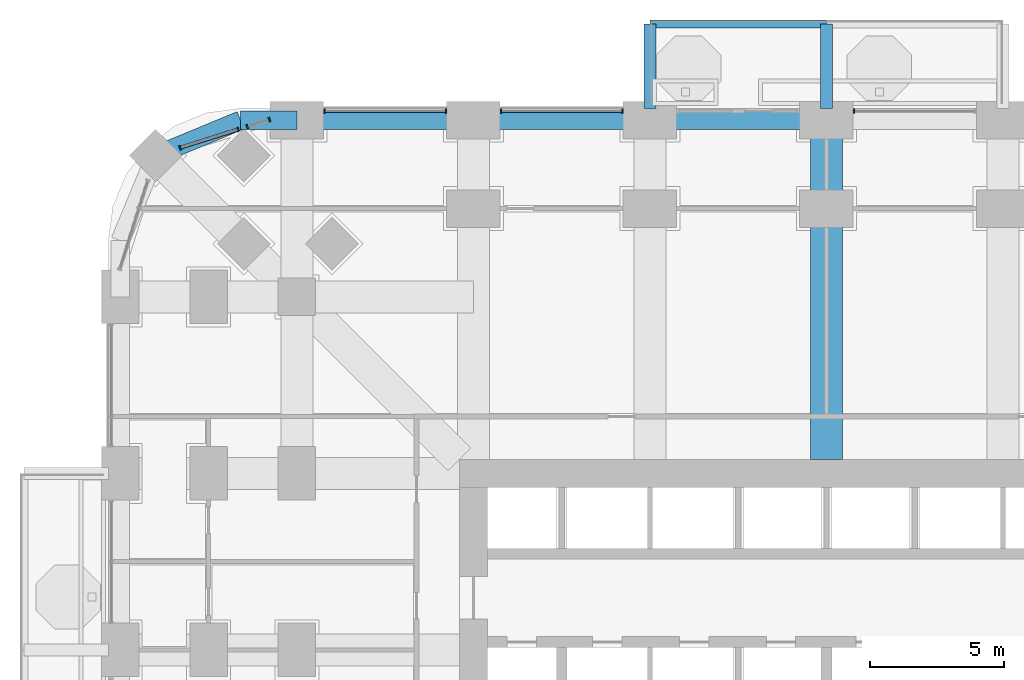
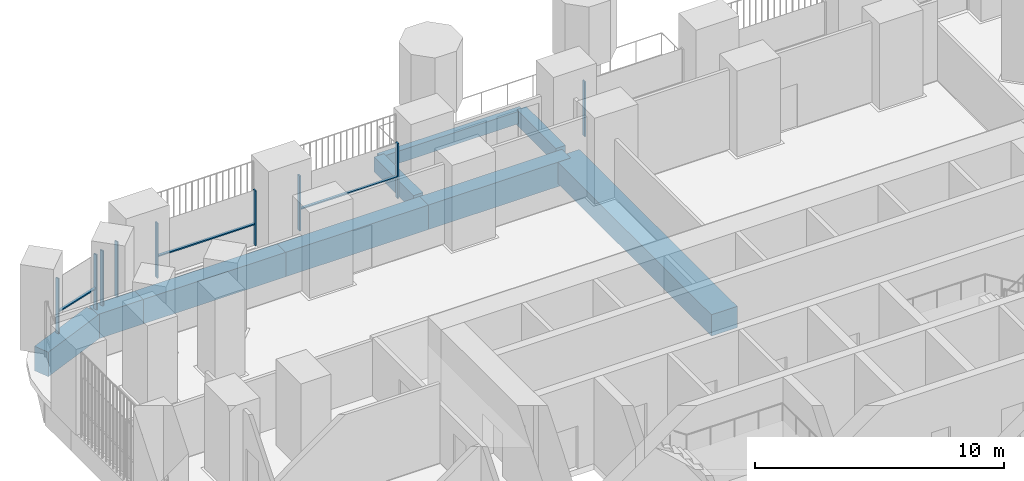
# One storey, part 7 of 24: 12 members, 9 beams, 5 elements without a shape of their own.
"""IFC4 building model written with IfcOpenShell, lengths in metres."""

from ifc_helpers import new_model, si_unit, direction, frame, origin, origin_2d, place, context, subcontext, project, spatial, rectangle, extrude, material, material_profile, profile_set, type_object, element, aggregate, save


model = new_model("IFC4")

# Units and contexts
model_context = context("Model", 3, precision=1e-05, world=origin(), true_north=direction((0.0, 1.0)))
body_context = subcontext(model_context, "Body", "Model", "MODEL_VIEW")
ifc_project = project(units=[si_unit("LENGTHUNIT", "METRE"), si_unit("AREAUNIT", "SQUARE_METRE"), si_unit("VOLUMEUNIT", "CUBIC_METRE"), si_unit("PLANEANGLEUNIT", "RADIAN"), si_unit("MASSUNIT", "GRAM", prefix="KILO")], contexts=[model_context])

# Site, building, storey
site_placement = place(None, origin())
site = spatial("IfcSite", under=ifc_project, at=site_placement, CompositionType="ELEMENT")
building_placement = place(site_placement, origin())
building = spatial("IfcBuilding", under=site, at=building_placement, Name="Cobogo Forest Laboratory Tower", CompositionType="ELEMENT")
storey_placement = place(building_placement, frame((0.0, 0.0, 17.10009765625)))
storey = spatial("IfcBuildingStorey", under=building, at=storey_placement, Name="L03", CompositionType="ELEMENT", Elevation=17.10009765625)

# Beams
ifc_material_1 = material(Name="Concrete HA-40 (C40/50)", Category="concrete")
ifc_material_profile_1 = material_profile(ifc_material_1, rectangle(XDim=0.449951171875, YDim=0.75, at=origin_2d()), Name="RC 450x750")
ifc_profile_set_1 = profile_set([ifc_material_profile_1], Name="Concrete HA-40 (C40/50)")
beam_type_1 = type_object("IfcBeamType", Name="Balcony cantilever beam 450x750", PredefinedType="BEAM", material=ifc_profile_set_1)
for number, where, z_axis, x_axis, name in (
    (1, (19.800048828125, 46.64990234375, -0.625), (0.0, 1.0, 0.0), (-1.0, 0.0, 0.0), "CB1 BAL-N1-C1 L03"),
    (2, (26.39990234375, 46.64990234375, -0.625), (0.0, 1.0, 0.0), (-1.0, 0.0, 0.0), "CB1 BAL-N1-C2 L03"),
):
    element("IfcBeam", number, at=place(storey_placement, frame(where, z_axis=z_axis, x_axis=x_axis)), inside=storey, type_object=beam_type_1, Name=name, PredefinedType="BEAM", context=body_context, shape_type="SweptSolid", body=[
        extrude(rectangle(XDim=0.449951171875, YDim=0.75, at=origin_2d()), origin(), (0.0, 0.0, 1.0), 3.150146484375),
    ])
ifc_material_profile_2 = material_profile(ifc_material_1, rectangle(XDim=0.300048828125, YDim=0.60009765625, at=origin_2d()), Name="RC 300x600")
ifc_profile_set_2 = profile_set([ifc_material_profile_2], Name="Concrete HA-40 (C40/50)")
beam_type_2 = type_object("IfcBeamType", Name="Balcony edge beam 300x600", PredefinedType="BEAM", material=ifc_profile_set_2)
beam_1_placement = place(storey_placement, frame((19.800048828125, 49.800048828125, -0.550048828125), z_axis=(1.0, 0.0, 0.0), x_axis=(0.0, 1.0, 0.0)))
element("IfcBeam", 3, at=beam_1_placement, inside=storey, type_object=beam_type_2, Name="BB1 BAL-N1-T1 L03", PredefinedType="BEAM", context=body_context, shape_type="SweptSolid", body=[
    extrude(rectangle(XDim=0.300048828125, YDim=0.60009765625, at=origin_2d()), origin(), (0.0, 0.0, 1.0), 6.599853515625),
])
ifc_material_profile_3 = material_profile(ifc_material_1, rectangle(XDim=1.199951171875, YDim=1.050048828125, at=origin_2d()), Name="RC 1200x1050")
ifc_profile_set_3 = profile_set([ifc_material_profile_3], Name="Concrete HA-40 (C40/50)")
beam_type_3 = type_object("IfcBeamType", Name="Laboratory floor wide beam 1200x1050", PredefinedType="BEAM", material=ifc_profile_set_3)
beam_2_placement = place(storey_placement, frame((26.39990234375, 33.52490234375, -0.8251953125), z_axis=(0.0, 1.0, 0.0), x_axis=(-1.0, 0.0, 0.0)))
element("IfcBeam", 4, at=beam_2_placement, inside=storey, type_object=beam_type_3, Name="RB1 R-5-N L03", PredefinedType="BEAM", context=body_context, shape_type="SweptSolid", body=[
    extrude(rectangle(XDim=1.199951171875, YDim=1.050048828125, at=origin_2d()), origin(), (0.0, 0.0, 1.0), 12.675048828125),
])

# Curtain wall, member
ifc_material_2 = material(Name="Aluminium curtain wall", Category="aluminium")
curtain_wall_type = type_object("IfcCurtainWallType", Name="CW-1 unitised curtain wall, clear glazing, laboratory floors zones A and B", PredefinedType="USERDEFINED", material=ifc_material_2)
curtain_wall_1_placement = place(storey_placement, origin())
curtain_wall_1 = element("IfcCurtainWall", 5, at=curtain_wall_1_placement, inside=storey, type_object=curtain_wall_type, Name="Curtain wall 20 L03", ObjectType="UNITISED CURTAIN WALL", PredefinedType="USERDEFINED")
ifc_material_3 = material(Name="Aluminium mullion", Category="aluminium")
ifc_material_profile_4 = material_profile(ifc_material_3, rectangle(XDim=0.06005859375, YDim=0.159912109375, at=origin_2d()), Name="AL 60x160")
ifc_profile_set_4 = profile_set([ifc_material_profile_4], Name="Aluminium mullion")
member_type_1 = type_object("IfcMemberType", Name="MU-1 aluminium mullion 60x160", PredefinedType="MULLION", material=ifc_profile_set_4)
member_1_placement = place(storey_placement, frame((27.429931640625, 46.550048828125, 0.0), z_axis=(0.0, 0.0, 1.0), x_axis=(-1.0, 0.0, 0.0)))
member_1 = element("IfcMember", 6, at=member_1_placement, type_object=member_type_1, Name="CW-1 mullion 2", PredefinedType="MULLION", context=body_context, shape_type="SweptSolid", body=[
    extrude(rectangle(XDim=0.06005859375, YDim=0.159912109375, at=origin_2d()), origin(), (0.0, 0.0, 1.0), 2.699951171875),
])
aggregate(curtain_wall_1, [member_1])

# Curtain wall, members
curtain_wall_2_placement = place(storey_placement, origin())
curtain_wall_2 = element("IfcCurtainWall", 7, at=curtain_wall_2_placement, inside=storey, type_object=curtain_wall_type, Name="Curtain wall 22 L03", ObjectType="UNITISED CURTAIN WALL", PredefinedType="USERDEFINED")
member_2_placement = place(storey_placement, frame((18.77001953125, 46.550048828125, 0.0), z_axis=(0.0, 0.0, 1.0), x_axis=(-1.0, 0.0, 0.0)))
member_2 = element("IfcMember", 8, at=member_2_placement, type_object=member_type_1, Name="CW-1 mullion 1", PredefinedType="MULLION", context=body_context, shape_type="SweptSolid", body=[
    extrude(rectangle(XDim=0.06005859375, YDim=0.159912109375, at=origin_2d()), origin(), (0.0, 0.0, 1.0), 2.699951171875),
])
member_3_placement = place(storey_placement, frame((14.22998046875, 46.550048828125, 0.0), z_axis=(0.0, 0.0, 1.0), x_axis=(-1.0, 0.0, 0.0)))
member_3 = element("IfcMember", 9, at=member_3_placement, type_object=member_type_1, Name="CW-1 mullion 2", PredefinedType="MULLION", context=body_context, shape_type="SweptSolid", body=[
    extrude(rectangle(XDim=0.06005859375, YDim=0.159912109375, at=origin_2d()), origin(), (0.0, 0.0, 1.0), 2.699951171875),
])

curtain_wall_3_placement = place(storey_placement, origin())
curtain_wall_3 = element("IfcCurtainWall", 10, at=curtain_wall_3_placement, inside=storey, type_object=curtain_wall_type, Name="Curtain wall 23 L03", ObjectType="UNITISED CURTAIN WALL", PredefinedType="USERDEFINED")
member_4_placement = place(storey_placement, frame((12.169921875, 46.550048828125, 0.0), z_axis=(0.0, 0.0, 1.0), x_axis=(-1.0, 0.0, 0.0)))
member_4 = element("IfcMember", 11, at=member_4_placement, type_object=member_type_1, Name="CW-1 mullion 1", PredefinedType="MULLION", context=body_context, shape_type="SweptSolid", body=[
    extrude(rectangle(XDim=0.06005859375, YDim=0.159912109375, at=origin_2d()), origin(), (0.0, 0.0, 1.0), 2.699951171875),
])
member_5_placement = place(storey_placement, frame((7.6298828125, 46.550048828125, 0.0), z_axis=(0.0, 0.0, 1.0), x_axis=(-1.0, 0.0, 0.0)))
member_5 = element("IfcMember", 12, at=member_5_placement, type_object=member_type_1, Name="CW-1 mullion 2", PredefinedType="MULLION", context=body_context, shape_type="SweptSolid", body=[
    extrude(rectangle(XDim=0.06005859375, YDim=0.159912109375, at=origin_2d()), origin(), (0.0, 0.0, 1.0), 2.699951171875),
])

curtain_wall_4_placement = place(storey_placement, origin())
curtain_wall_4 = element("IfcCurtainWall", 13, at=curtain_wall_4_placement, inside=storey, type_object=curtain_wall_type, Name="Curtain wall 24 L03", ObjectType="UNITISED CURTAIN WALL", PredefinedType="USERDEFINED")
member_6_placement = place(storey_placement, frame((5.5712890625, 46.22509765625, 0.0), z_axis=(0.0, 0.0, 1.0), x_axis=(-0.953581406818, -0.301135352577, 0.0)))
member_6 = element("IfcMember", 14, at=member_6_placement, type_object=member_type_1, Name="CW-1 mullion 1", PredefinedType="MULLION", context=body_context, shape_type="SweptSolid", body=[
    extrude(rectangle(XDim=0.06005859375, YDim=0.159912109375, at=origin_2d()), origin(), (0.0, 0.0, 1.0), 2.699951171875),
])
member_7_placement = place(storey_placement, frame((4.74658203125, 45.96484375, 0.0), z_axis=(0.0, 0.0, 1.0), x_axis=(-0.953581406818, -0.301135352577, 0.0)))
member_7 = element("IfcMember", 15, at=member_7_placement, type_object=member_type_1, Name="CW-1 mullion 2", PredefinedType="MULLION", context=body_context, shape_type="SweptSolid", body=[
    extrude(rectangle(XDim=0.06005859375, YDim=0.159912109375, at=origin_2d()), origin(), (0.0, 0.0, 1.0), 2.699951171875),
])
aggregate(curtain_wall_4, [member_6, member_7])

curtain_wall_5_placement = place(storey_placement, origin())
curtain_wall_5 = element("IfcCurtainWall", 16, at=curtain_wall_5_placement, inside=storey, type_object=curtain_wall_type, Name="Curtain wall 25 L03", ObjectType="UNITISED CURTAIN WALL", PredefinedType="USERDEFINED")
member_8_placement = place(storey_placement, frame((4.39697265625, 45.854248046875, 0.0), z_axis=(0.0, 0.0, 1.0), x_axis=(-0.953581409645, -0.301135343623, 0.0)))
member_8 = element("IfcMember", 17, at=member_8_placement, type_object=member_type_1, Name="CW-1 mullion 1", PredefinedType="MULLION", context=body_context, shape_type="SweptSolid", body=[
    extrude(rectangle(XDim=0.06005859375, YDim=0.159912109375, at=origin_2d()), origin(), (0.0, 0.0, 1.0), 2.699951171875),
])
member_9_placement = place(storey_placement, frame((2.23876953125, 45.1728515625, 0.0), z_axis=(0.0, 0.0, 1.0), x_axis=(-0.953581409645, -0.301135343623, 0.0)))
member_9 = element("IfcMember", 18, at=member_9_placement, type_object=member_type_1, Name="CW-1 mullion 2", PredefinedType="MULLION", context=body_context, shape_type="SweptSolid", body=[
    extrude(rectangle(XDim=0.06005859375, YDim=0.159912109375, at=origin_2d()), origin(), (0.0, 0.0, 1.0), 2.699951171875),
])

# Beams
ifc_material_profile_5 = material_profile(ifc_material_1, rectangle(XDim=0.699951171875, YDim=1.199951171875, at=origin_2d()), Name="RC 700x1200")
ifc_profile_set_5 = profile_set([ifc_material_profile_5], Name="Concrete HA-40 (C40/50)")
beam_type_4 = type_object("IfcBeamType", Name="Perimeter edge beam 700x1200", PredefinedType="BEAM", material=ifc_profile_set_5)
beam_3_placement = place(storey_placement, frame((6.60009765625, 46.199951171875, -0.900146484375), z_axis=(1.0, 0.0, 0.0), x_axis=(0.0, 1.0, 0.0)))
element("IfcBeam", 19, at=beam_3_placement, inside=storey, type_object=beam_type_4, Name="EB1 E-N1 L03", PredefinedType="BEAM", context=body_context, shape_type="SweptSolid", body=[
    extrude(rectangle(XDim=0.699951171875, YDim=1.199951171875, at=origin_2d()), origin(), (0.0, 0.0, 1.0), 6.599853515625),
])
beam_4_placement = place(storey_placement, frame((13.199951171875, 46.199951171875, -0.900146484375), z_axis=(1.0, 0.0, 0.0), x_axis=(0.0, 1.0, 0.0)))
element("IfcBeam", 20, at=beam_4_placement, inside=storey, type_object=beam_type_4, Name="EB1 E-N2 L03", PredefinedType="BEAM", context=body_context, shape_type="SweptSolid", body=[
    extrude(rectangle(XDim=0.699951171875, YDim=1.199951171875, at=origin_2d()), origin(), (0.0, 0.0, 1.0), 6.60009765625),
])
beam_5_placement = place(storey_placement, frame((19.800048828125, 46.199951171875, -0.900146484375), z_axis=(1.0, 0.0, 0.0), x_axis=(0.0, 1.0, 0.0)))
element("IfcBeam", 21, at=beam_5_placement, inside=storey, type_object=beam_type_4, Name="EB1 E-N3 L03", PredefinedType="BEAM", context=body_context, shape_type="SweptSolid", body=[
    extrude(rectangle(XDim=0.699951171875, YDim=1.199951171875, at=origin_2d()), origin(), (0.0, 0.0, 1.0), 6.599853515625),
])
beam_6_placement = place(storey_placement, frame((6.60009765625, 46.199951171875, -0.900146484375), z_axis=(-1.0, 0.0, 0.0), x_axis=(0.0, -1.0, 0.0)))
element("IfcBeam", 22, at=beam_6_placement, inside=storey, type_object=beam_type_4, Name="EB1 E-NWN1 L03", PredefinedType="BEAM", context=body_context, shape_type="SweptSolid", body=[
    extrude(rectangle(XDim=0.699951171875, YDim=1.199951171875, at=origin_2d()), origin(), (0.0, 0.0, 1.0), 2.10009765625),
])
beam_7_placement = place(storey_placement, frame((4.5, 46.199951171875, -0.900146484375), z_axis=(-0.923890694089, -0.382656484822, 0.0), x_axis=(0.382656484822, -0.923890694089, 0.0)))
element("IfcBeam", 23, at=beam_7_placement, inside=storey, type_object=beam_type_4, Name="EB1 E-NWN2 L03", PredefinedType="BEAM", context=body_context, shape_type="SweptSolid", body=[
    extrude(rectangle(XDim=0.699951171875, YDim=1.199951171875, at=origin_2d()), origin(), (0.0, 0.0, 1.0), 3.444091796875),
])

# Member
ifc_material_4 = material(Name="Aluminium transom", Category="aluminium")
ifc_material_profile_6 = material_profile(ifc_material_4, rectangle(XDim=0.1201171875, YDim=0.06005859375, at=origin_2d()), Name="AL 60x120")
ifc_profile_set_6 = profile_set([ifc_material_profile_6], Name="Aluminium transom")
member_type_2 = type_object("IfcMemberType", Name="TR-1 aluminium transom 60x120", PredefinedType="USERDEFINED", material=ifc_profile_set_6)
member_10_placement = place(storey_placement, frame((18.739990234375, 46.550048828125, 1.0498046875), z_axis=(-1.0, 0.0, 0.0), x_axis=(0.0, -1.0, 0.0)))
member_10 = element("IfcMember", 24, at=member_10_placement, type_object=member_type_2, Name="CW-1 transom 1.1", ObjectType="TRANSOM", PredefinedType="USERDEFINED", context=body_context, shape_type="SweptSolid", body=[
    extrude(rectangle(XDim=0.1201171875, YDim=0.06005859375, at=origin_2d()), origin(), (0.0, 0.0, 1.0), 4.47998046875),
])

aggregate(curtain_wall_2, [member_2, member_3, member_10])

member_11_placement = place(storey_placement, frame((12.139892578125, 46.550048828125, 1.0498046875), z_axis=(-1.0, 0.0, 0.0), x_axis=(0.0, -1.0, 0.0)))
member_11 = element("IfcMember", 25, at=member_11_placement, type_object=member_type_2, Name="CW-1 transom 1.1", ObjectType="TRANSOM", PredefinedType="USERDEFINED", context=body_context, shape_type="SweptSolid", body=[
    extrude(rectangle(XDim=0.1201171875, YDim=0.06005859375, at=origin_2d()), origin(), (0.0, 0.0, 1.0), 4.47998046875),
])

aggregate(curtain_wall_3, [member_4, member_5, member_11])

member_12_placement = place(storey_placement, frame((4.368408203125, 45.84521484375, 1.0498046875), z_axis=(-0.953604433273, -0.301062426819, 0.0), x_axis=(0.301062426819, -0.953604433273, 0.0)))
member_12 = element("IfcMember", 26, at=member_12_placement, type_object=member_type_2, Name="CW-1 transom 1.1", ObjectType="TRANSOM", PredefinedType="USERDEFINED", context=body_context, shape_type="SweptSolid", body=[
    extrude(rectangle(XDim=0.1201171875, YDim=0.06005859375, at=origin_2d()), origin(), (0.0, 0.0, 1.0), 2.203369140625),
])

aggregate(curtain_wall_5, [member_8, member_9, member_12])

save(model, "model.ifc")
